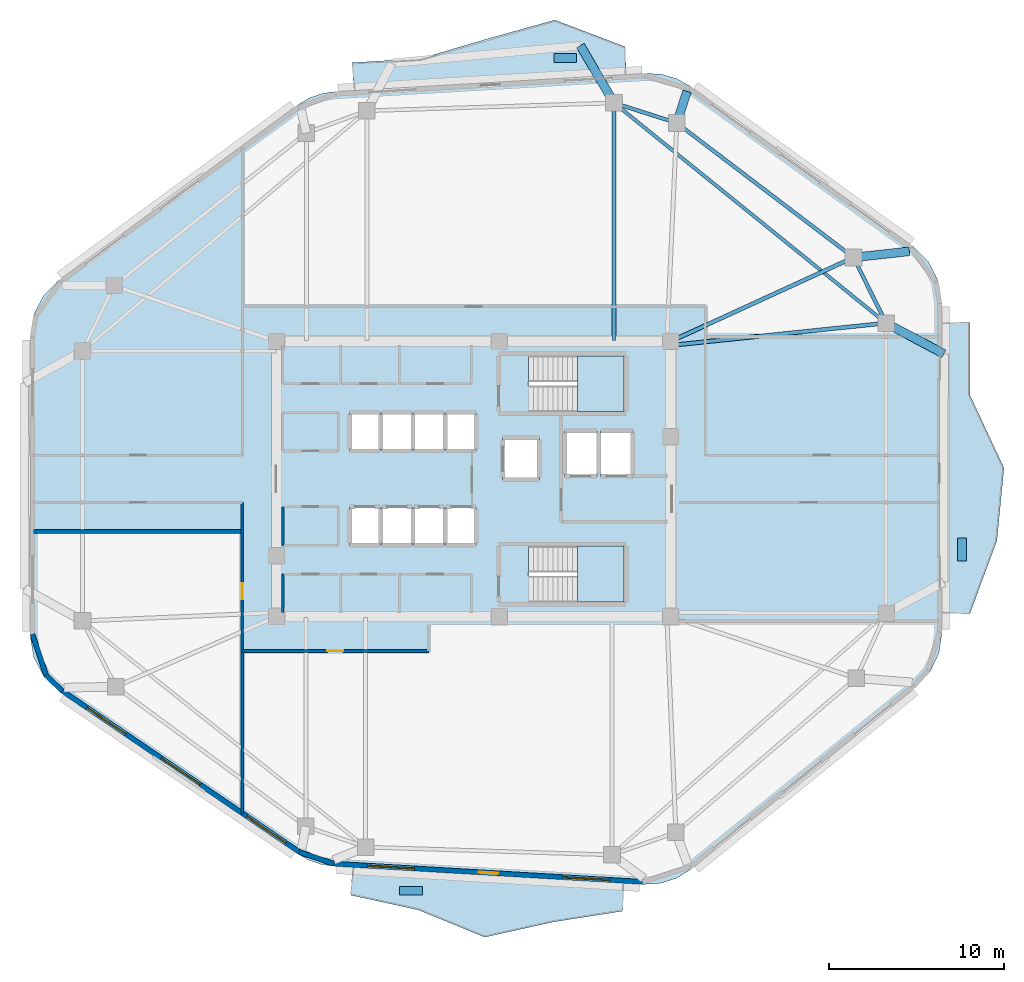
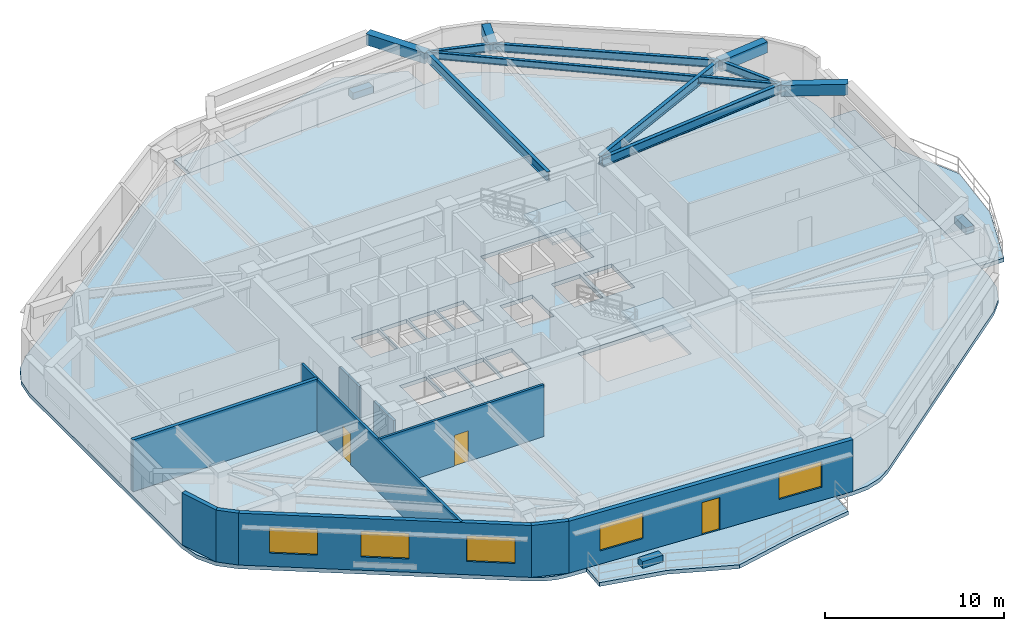
# One storey, part 2 of 8: 11 beams, 10 walls, 6 slabs, 5 windows, 3 doors, 3 plates, 8 openings, 2 elements without a shape of their own.
"""IFC4 building model written with IfcOpenShell, lengths in metres."""

from ifc_helpers import new_model, si_unit, direction, frame, frame_2d, origin, origin_2d, place, context, subcontext, project, spatial, polyline, rectangle, i_section, outline, extrude, material, layer, layer_set, material_profile, profile_set, type_object, element, fill, aggregate, save


model = new_model("IFC4")

# Units and contexts
model_context = context("Model", 3, precision=1e-05, world=origin(), true_north=direction((0.0, 1.0)))
body_context = subcontext(model_context, "Body", "Model", "MODEL_VIEW")
ifc_project = project(units=[si_unit("LENGTHUNIT", "METRE"), si_unit("AREAUNIT", "SQUARE_METRE"), si_unit("VOLUMEUNIT", "CUBIC_METRE"), si_unit("PLANEANGLEUNIT", "RADIAN"), si_unit("MASSUNIT", "GRAM", prefix="KILO")], contexts=[model_context])

# Site, building, storey
site_placement = place(None, origin())
site = spatial("IfcSite", under=ifc_project, at=site_placement, CompositionType="ELEMENT")
building_placement = place(site_placement, origin())
building = spatial("IfcBuilding", under=site, at=building_placement, Name="Zulverin Broadcast Headquarters", CompositionType="ELEMENT")
storey_placement = place(building_placement, frame((0.0, 0.0, 204.800048828125)))
storey = spatial("IfcBuildingStorey", under=building, at=storey_placement, Name="L52", CompositionType="ELEMENT", Elevation=204.800048828125)

# Beams
ifc_material_1 = material(Name="Concrete C40/50", Category="concrete")
ifc_material_profile_1 = material_profile(ifc_material_1, rectangle(XDim=0.5, YDim=0.75, at=origin_2d()), Name="Concrete C40/50", Category="concrete")
ifc_profile_set_1 = profile_set([ifc_material_profile_1], Name="Concrete C40/50")
beam_type_1 = type_object("IfcBeamType", Name="BM-RC-500x750", PredefinedType="BEAM", material=ifc_profile_set_1)
beam_1_placement = place(storey_placement, frame((58.738037109375, 37.877685546875, 3.1650390625), z_axis=(0.994004521098, 0.109338977669, 0.0), x_axis=(-0.109338977669, 0.994004521098, 0.0)))
element("IfcBeam", 1, at=beam_1_placement, inside=storey, type_object=beam_type_1, Name="L53 Plate Overhang Back-Spanned Beam OVR-07", PredefinedType="BEAM", context=body_context, shape_type="SweptSolid", body=[
    extrude(rectangle(XDim=0.5, YDim=0.75, at=origin_2d()), origin(), (0.0, 0.0, 1.0), 3.213134765625),
])
beam_2_placement = place(storey_placement, frame((48.62158203125, 45.574951171875, 3.1650390625), z_axis=(0.306395409062, 0.951904329912, 0.0), x_axis=(-0.951904329912, 0.306395409062, 0.0)))
element("IfcBeam", 2, at=beam_2_placement, inside=storey, type_object=beam_type_1, Name="L53 Plate Overhang Back-Spanned Beam OVR-08", PredefinedType="BEAM", context=body_context, shape_type="SweptSolid", body=[
    extrude(rectangle(XDim=0.5, YDim=0.75, at=origin_2d()), origin(), (0.0, 0.0, 1.0), 1.90283203125),
])
beam_3_placement = place(storey_placement, frame((60.60009765625, 34.12158203125, 3.1650390625), z_axis=(0.882538495397, -0.470240155817, 0.0), x_axis=(0.470240155817, 0.882538495397, 0.0)))
element("IfcBeam", 3, at=beam_3_placement, inside=storey, type_object=beam_type_1, Name="L53 Balcony Column-Framed Cantilever BAL_E-2", PredefinedType="BEAM", context=body_context, shape_type="SweptSolid", body=[
    extrude(rectangle(XDim=0.5, YDim=0.75, at=origin_2d()), origin(), (0.0, 0.0, 1.0), 3.75),
])
beam_4_placement = place(storey_placement, frame((45.027587890625, 46.7236328125, 3.1650390625), z_axis=(-0.506062406052, 0.862496864447, 0.0), x_axis=(-0.862496864447, -0.506062406052, 0.0)))
element("IfcBeam", 4, at=beam_4_placement, inside=storey, type_object=beam_type_1, Name="L53 Balcony Column-Framed Cantilever BAL_N-1", PredefinedType="BEAM", context=body_context, shape_type="SweptSolid", body=[
    extrude(rectangle(XDim=0.5, YDim=0.75, at=origin_2d()), origin(), (0.0, 0.0, 1.0), 3.800048828125),
])
ifc_material_2 = material(Name="Structural steel S355JR", Category="steel")
ifc_material_profile_2 = material_profile(ifc_material_2, i_section(OverallWidth=0.19287109375, OverallDepth=0.46728515625, WebThickness=0.011474609375, FlangeThickness=0.01953125, at=origin_2d()), Name="Structural steel S355JR", Category="steel")
ifc_profile_set_2 = profile_set([ifc_material_profile_2], Name="Structural steel S355JR")
beam_type_2 = type_object("IfcBeamType", Name="BM-UB-457", PredefinedType="JOIST", material=ifc_profile_set_2)
beam_5_placement = place(storey_placement, frame((60.60009765625, 34.12158203125, 3.306396484375), z_axis=(-0.777349017335, 0.629069555175, 0.0), x_axis=(-0.629069555175, -0.777349017335, 0.0)))
element("IfcBeam", 5, at=beam_5_placement, inside=storey, type_object=beam_type_2, Name="L52 Chordal Floor Joist J-02", PredefinedType="JOIST", context=body_context, shape_type="SweptSolid", body=[
    extrude(i_section(OverallWidth=0.19287109375, OverallDepth=0.46728515625, WebThickness=0.011474609375, FlangeThickness=0.01953125, at=origin_2d()), origin(), (0.0, 0.0, 1.0), 20.032958984375),
])
ifc_material_profile_3 = material_profile(ifc_material_2, i_section(OverallWidth=0.2119140625, OverallDepth=0.54443359375, WebThickness=0.0126953125, FlangeThickness=0.021240234375, at=origin_2d()), Name="Structural steel S355JR", Category="steel")
ifc_profile_set_3 = profile_set([ifc_material_profile_3], Name="Structural steel S355JR")
beam_type_3 = type_object("IfcBeamType", Name="BM-UB-533", PredefinedType="SPANDREL", material=ifc_profile_set_3)
beam_6_placement = place(storey_placement, frame((60.60009765625, 34.12158203125, 3.267578125), z_axis=(-0.444159471033, 0.895947746407, 0.0), x_axis=(-0.895947746407, -0.444159471033, 0.0)))
element("IfcBeam", 6, at=beam_6_placement, inside=storey, type_object=beam_type_3, Name="L52 Perimeter Spandrel Beam SP-06", PredefinedType="SPANDREL", context=body_context, shape_type="SweptSolid", body=[
    extrude(i_section(OverallWidth=0.2119140625, OverallDepth=0.54443359375, WebThickness=0.0126953125, FlangeThickness=0.021240234375, at=origin_2d()), origin(), (0.0, 0.0, 1.0), 4.1923828125),
])
beam_7_placement = place(storey_placement, frame((58.738037109375, 37.877685546875, 3.267578125), z_axis=(-0.795830102505, 0.60551998146, 0.0), x_axis=(-0.60551998146, -0.795830102505, 0.0)))
element("IfcBeam", 7, at=beam_7_placement, inside=storey, type_object=beam_type_3, Name="L52 Perimeter Spandrel Beam SP-07", PredefinedType="SPANDREL", context=body_context, shape_type="SweptSolid", body=[
    extrude(i_section(OverallWidth=0.2119140625, OverallDepth=0.54443359375, WebThickness=0.0126953125, FlangeThickness=0.021240234375, at=origin_2d()), origin(), (0.0, 0.0, 1.0), 12.7119140625),
])
beam_8_placement = place(storey_placement, frame((48.62158203125, 45.574951171875, 3.267578125), z_axis=(-0.952531523781, 0.304439971428, 0.0), x_axis=(-0.304439971428, -0.952531523781, 0.0)))
element("IfcBeam", 8, at=beam_8_placement, inside=storey, type_object=beam_type_3, Name="L52 Perimeter Spandrel Beam SP-08", PredefinedType="SPANDREL", context=body_context, shape_type="SweptSolid", body=[
    extrude(i_section(OverallWidth=0.2119140625, OverallDepth=0.54443359375, WebThickness=0.0126953125, FlangeThickness=0.021240234375, at=origin_2d()), origin(), (0.0, 0.0, 1.0), 3.773193359375),
])
ifc_material_profile_4 = material_profile(ifc_material_2, i_section(OverallWidth=0.230224609375, OverallDepth=0.6171875, WebThickness=0.01318359375, FlangeThickness=0.022216796875, at=origin_2d()), Name="Structural steel S355JR", Category="steel")
ifc_profile_set_4 = profile_set([ifc_material_profile_4], Name="Structural steel S355JR")
beam_type_4 = type_object("IfcBeamType", Name="BM-UB-610", PredefinedType="BEAM", material=ifc_profile_set_4)
beam_9_placement = place(storey_placement, frame((48.324951171875, 32.85009765625, 3.2314453125), z_axis=(0.994678169641, 0.103030766473, 0.0), x_axis=(-0.103030766473, 0.994678169641, 0.0)))
element("IfcBeam", 9, at=beam_9_placement, inside=storey, type_object=beam_type_4, Name="L52 Radial Primary Floor Beam RB-06", PredefinedType="BEAM", context=body_context, shape_type="SweptSolid", body=[
    extrude(i_section(OverallWidth=0.230224609375, OverallDepth=0.6171875, WebThickness=0.01318359375, FlangeThickness=0.022216796875, at=origin_2d()), origin(), (0.0, 0.0, 1.0), 12.3408203125),
])
beam_10_placement = place(storey_placement, frame((48.27490234375, 33.074951171875, 3.2314453125), z_axis=(0.90883007293, 0.417166511764, 0.0), x_axis=(-0.417166511764, 0.90883007293, 0.0)))
element("IfcBeam", 10, at=beam_10_placement, inside=storey, type_object=beam_type_4, Name="L52 Radial Primary Floor Beam RB-07", PredefinedType="BEAM", context=body_context, shape_type="SweptSolid", body=[
    extrude(i_section(OverallWidth=0.230224609375, OverallDepth=0.6171875, WebThickness=0.01318359375, FlangeThickness=0.022216796875, at=origin_2d()), origin(), (0.0, 0.0, 1.0), 11.5126953125),
])
beam_11_placement = place(storey_placement, frame((45.027587890625, 33.125, 3.2314453125), z_axis=(0.0, 1.0, 0.0), x_axis=(-1.0, 0.0, 0.0)))
element("IfcBeam", 11, at=beam_11_placement, inside=storey, type_object=beam_type_4, Name="L52 Radial Primary Floor Beam RB-09", PredefinedType="BEAM", context=body_context, shape_type="SweptSolid", body=[
    extrude(i_section(OverallWidth=0.230224609375, OverallDepth=0.6171875, WebThickness=0.01318359375, FlangeThickness=0.022216796875, at=origin_2d()), origin(), (0.0, 0.0, 1.0), 13.5986328125),
])

# Plates
ifc_material_3 = material(Name="Precast concrete C45/55", Category="concrete")
ifc_layer_1 = layer(ifc_material_3, 0.449951171875, Name="Precast concrete C45/55", Category="concrete")
ifc_layer_set_1 = layer_set([ifc_layer_1], Name="Precast concrete C45/55")
plate_type = type_object("IfcPlateType", Name="PT-01_PRECAST_GFRC_TREE_PLANTER", PredefinedType="USERDEFINED", material=ifc_layer_set_1)
for number, where, z_axis, x_axis, name in (
    (12, (64.949951171875, 21.1591796875, -0.0048828125), (0.0, 0.0, 1.0), (0.0, 1.0, 0.0), "L52 Precast GFRC Tree Planter BAL_E"),
    (13, (33.41015625, 1.621337890625, -0.0048828125), (0.0, 0.0, 1.0), (1.0, 0.0, 0.0), "L52 Precast GFRC Tree Planter BAL_S"),
    (14, (42.239013671875, 49.298095703125, -0.0048828125), (0.0, 0.0, 1.0), (1.0, 0.0, 0.0), "L52 Precast GFRC Tree Planter BAL_N"),
):
    element("IfcPlate", number, at=place(storey_placement, frame(where, z_axis=z_axis, x_axis=x_axis)), inside=storey, type_object=plate_type, Name=name, ObjectType="PLANTER", PredefinedType="USERDEFINED", context=body_context, shape_type="SweptSolid", body=[
        extrude(rectangle(XDim=1.300048828125, YDim=0.5, at=origin_2d()), origin(), (0.0, 0.0, 1.0), 0.449951171875),
    ])

# Slabs
ifc_layer_2 = layer(ifc_material_1, 0.260009765625, Name="Concrete C40/50", Category="concrete")
ifc_layer_set_2 = layer_set([ifc_layer_2], Name="Concrete C40/50")
slab_type_1 = type_object("IfcSlabType", Name="SLB-BAL-260", PredefinedType="FLOOR", material=ifc_layer_set_2)
slab_1_placement = place(storey_placement, frame((0.0, 0.0, -0.260009765625)))
element("IfcSlab", 15, at=slab_1_placement, inside=storey, type_object=slab_type_1, Name="L52 Cantilevered Planted Balcony Slab BAL_E", PredefinedType="FLOOR", context=body_context, shape_type="SweptSolid", body=[
    extrude(outline(polyline([(63.800048828125, 34.166259765625), (63.800048828125, 17.490478515625), (65.39990234375, 17.490478515625), (66.942626953125, 21.6591796875), (67.35009765625, 25.828369140625), (65.39990234375, 29.997314453125), (65.39990234375, 34.166259765625), (63.800048828125, 34.166259765625)])), origin(), (0.0, 0.0, 1.0), 0.260009765625),
])
slab_2_placement = place(storey_placement, frame((0.0, 0.0, -0.260009765625)))
element("IfcSlab", 16, at=slab_2_placement, inside=storey, type_object=slab_type_1, Name="L52 Cantilevered Planted Balcony Slab BAL_S", PredefinedType="FLOOR", context=body_context, shape_type="SweptSolid", body=[
    extrude(outline(polyline([(45.61083984375, 2.0556640625), (30.055419921875, 2.970703125), (29.96142578125, 1.373291015625), (33.814453125, 0.531982421875), (37.624755859375, -1.03076171875), (41.57861328125, -0.154052734375), (45.51708984375, 0.45849609375), (45.61083984375, 2.0556640625)])), origin(), (0.0, 0.0, 1.0), 0.260009765625),
])
slab_3_placement = place(storey_placement, frame((0.0, 0.0, -0.260009765625)))
element("IfcSlab", 17, at=slab_3_placement, inside=storey, type_object=slab_type_1, Name="L52 Cantilevered Planted Balcony Slab BAL_N", PredefinedType="FLOOR", context=body_context, shape_type="SweptSolid", body=[
    extrude(outline(polyline([(30.1337890625, 47.43408203125), (45.739990234375, 48.35205078125), (45.64599609375, 49.94921875), (41.641357421875, 51.470703125), (37.78955078125, 50.397705078125), (33.94140625, 49.2607421875), (30.039794921875, 49.03125), (30.1337890625, 47.43408203125)])), origin(), (0.0, 0.0, 1.0), 0.260009765625),
])

# Stair, slab
stair_type = type_object("IfcStairType", Name="ST-CORE-1500", PredefinedType="HALF_TURN_STAIR", material=ifc_material_1)
stair_1_placement = place(storey_placement, origin())
stair_1 = element("IfcStair", 18, at=stair_1_placement, inside=storey, type_object=stair_type, Name="L52 Core Exit Stair ST-1", PredefinedType="HALF_TURN_STAIR")
ifc_layer_3 = layer(ifc_material_1, 0.199951171875, Name="Concrete C40/50", Category="concrete")
ifc_layer_set_3 = layer_set([ifc_layer_3], Name="Concrete C40/50")
slab_type_2 = type_object("IfcSlabType", Name="SLB-ST-LND200", PredefinedType="LANDING", material=ifc_layer_set_3)
slab_4_placement = place(storey_placement, frame((0.0, 0.0, 1.699951171875)))
slab_4 = element("IfcSlab", 19, at=slab_4_placement, type_object=slab_type_2, Name="ST-1 landing 1", PredefinedType="LANDING", context=body_context, shape_type="SweptSolid", body=[
    extrude(outline(polyline([(42.929931640625, 29.050048828125), (45.60009765625, 29.050048828125), (45.60009765625, 32.25), (42.929931640625, 32.25), (42.929931640625, 29.050048828125)])), origin(), (0.0, 0.0, 1.0), 0.199951171875),
])
aggregate(stair_1, [slab_4])

stair_2_placement = place(storey_placement, origin())
stair_2 = element("IfcStair", 20, at=stair_2_placement, inside=storey, type_object=stair_type, Name="L52 Core Exit Stair ST-2", PredefinedType="HALF_TURN_STAIR")
slab_5_placement = place(storey_placement, frame((0.0, 0.0, 1.699951171875)))
slab_5 = element("IfcSlab", 21, at=slab_5_placement, type_object=slab_type_2, Name="ST-2 landing 1", PredefinedType="LANDING", context=body_context, shape_type="SweptSolid", body=[
    extrude(outline(polyline([(42.929931640625, 18.14990234375), (45.60009765625, 18.14990234375), (45.60009765625, 21.35009765625), (42.929931640625, 21.35009765625), (42.929931640625, 18.14990234375)])), origin(), (0.0, 0.0, 1.0), 0.199951171875),
])
aggregate(stair_2, [slab_5])

# Slab
ifc_layer_4 = layer(ifc_material_1, 0.260009765625, Name="Concrete C40/50", Category="concrete")
ifc_layer_set_4 = layer_set([ifc_layer_4], Name="Concrete C40/50")
slab_type_3 = type_object("IfcSlabType", Name="SLB-TWR-260", PredefinedType="FLOOR", material=ifc_layer_set_4)
slab_6_placement = place(storey_placement, frame((0.0, 0.0, -0.260009765625)))
element("IfcSlab", 22, at=slab_6_placement, inside=storey, type_object=slab_type_3, Name="L52 Main Structural Floor Slab", PredefinedType="FLOOR", context=body_context, shape_type="SweptSolid", body=[
    extrude(outline(polyline([(26.943603515625, 3.72021484375), (27.570068359375, 3.3720703125), (28.24853515625, 3.14111328125), (28.95751953125, 3.03515625), (46.708984375, 1.990966796875), (47.690185546875, 2.05419921875), (48.626220703125, 2.35498046875), (49.46044921875, 2.875), (62.316650390625, 13.28125), (63.11572265625, 14.1533203125), (63.625, 15.220703125), (63.800048828125, 16.390380859375), (63.800048828125, 35.26611328125), (63.602294921875, 36.50830078125), (63.02880859375, 37.627197265625), (62.13623046875, 38.51318359375), (49.408935546875, 47.67041015625), (48.61669921875, 48.113525390625), (47.74462890625, 48.36669921875), (46.837890625, 48.41650390625), (29.03564453125, 47.369384765625), (28.27978515625, 47.251708984375), (27.560302734375, 46.9921875), (26.9033203125, 46.6005859375), (13.23291015625, 36.564697265625), (12.356201171875, 35.680908203125), (11.793701171875, 34.570068359375), (11.60009765625, 33.34033203125), (11.60009765625, 16.267578125), (11.808837890625, 14.991943359375), (12.413818359375, 13.849365234375), (13.351318359375, 12.95947265625), (26.943603515625, 3.72021484375)]), holes=[polyline([(40.155029296875, 30.75), (40.130126953125, 30.75), (40.130126953125, 32.25), (45.60009765625, 32.25), (45.60009765625, 29.050048828125), (40.155029296875, 29.050048828125), (40.155029296875, 30.75)]), polyline([(40.155029296875, 19.85009765625), (40.130126953125, 19.85009765625), (40.130126953125, 21.35009765625), (45.60009765625, 21.35009765625), (45.60009765625, 18.14990234375), (40.155029296875, 18.14990234375), (40.155029296875, 19.85009765625)]), polyline([(29.89990234375, 21.39990234375), (31.6201171875, 21.39990234375), (31.6201171875, 23.60009765625), (29.89990234375, 23.60009765625), (29.89990234375, 21.39990234375)]), polyline([(31.739990234375, 21.39990234375), (33.4599609375, 21.39990234375), (33.4599609375, 23.60009765625), (31.739990234375, 23.60009765625), (31.739990234375, 21.39990234375)]), polyline([(33.580078125, 21.39990234375), (35.300048828125, 21.39990234375), (35.300048828125, 23.60009765625), (33.580078125, 23.60009765625), (33.580078125, 21.39990234375)]), polyline([(35.419921875, 21.39990234375), (37.139892578125, 21.39990234375), (37.139892578125, 23.60009765625), (35.419921875, 23.60009765625), (35.419921875, 21.39990234375)]), polyline([(29.89990234375, 26.800048828125), (31.6201171875, 26.800048828125), (31.6201171875, 29.0), (29.89990234375, 29.0), (29.89990234375, 26.800048828125)]), polyline([(31.739990234375, 26.800048828125), (33.4599609375, 26.800048828125), (33.4599609375, 29.0), (31.739990234375, 29.0), (31.739990234375, 26.800048828125)]), polyline([(33.580078125, 26.800048828125), (35.300048828125, 26.800048828125), (35.300048828125, 29.0), (33.580078125, 29.0), (33.580078125, 26.800048828125)]), polyline([(35.419921875, 26.800048828125), (37.139892578125, 26.800048828125), (37.139892578125, 29.0), (35.419921875, 29.0), (35.419921875, 26.800048828125)]), polyline([(42.199951171875, 25.35009765625), (44.050048828125, 25.35009765625), (44.050048828125, 27.949951171875), (42.199951171875, 27.949951171875), (42.199951171875, 25.35009765625)]), polyline([(44.25, 25.35009765625), (46.10009765625, 25.35009765625), (46.10009765625, 27.949951171875), (44.25, 27.949951171875), (44.25, 25.35009765625)]), polyline([(38.64990234375, 25.14990234375), (40.75, 25.14990234375), (40.75, 27.550048828125), (38.64990234375, 27.550048828125), (38.64990234375, 25.14990234375)])]), origin(), (0.0, 0.0, 1.0), 0.260009765625),
])

# Wall
ifc_material_4 = material(Name="Double-stud acoustic drywall", Category="gypsum")
ifc_layer_5 = layer(ifc_material_4, 0.219970703125, Name="Double-stud acoustic drywall", Category="gypsum")
ifc_layer_set_5 = layer_set([ifc_layer_5], Name="Double-stud acoustic drywall")
wall_type_1 = type_object("IfcWallType", Name="WL-ACOU-220", PredefinedType="PARTITIONING", material=ifc_layer_set_5)
wall_1_placement = place(storey_placement, frame((11.804931640625, 22.199951171875, 0.0), z_axis=(0.0, 0.0, 1.0), x_axis=(1.0, 0.0, 0.0)))
element("IfcWall", 23, at=wall_1_placement, inside=storey, type_object=wall_type_1, Name="L52 Room Partition Wall RP-07", PredefinedType="PARTITIONING", context=body_context, shape_type="SweptSolid", body=[
    extrude(rectangle(XDim=11.945068359375, YDim=0.219970703125, at=frame_2d((5.97265625, 0.0))), origin(), (0.0, 0.0, 1.0), 3.5400390625),
])

# Wall, openings, door, windows
ifc_material_5 = material(Name="Insulated pale-metal clad concrete spandrel C40/50", Category="concrete")
ifc_layer_6 = layer(ifc_material_5, 0.280029296875, Name="Insulated pale-metal clad concrete spandrel C40/50", Category="concrete")
ifc_layer_set_6 = layer_set([ifc_layer_6], Name="Insulated pale-metal clad concrete spandrel C40/50")
wall_type_2 = type_object("IfcWallType", Name="WL-EXT-280", PredefinedType="STANDARD", material=ifc_layer_set_6)
wall_2_placement = place(storey_placement, frame((28.965576171875, 3.175048828125, 0.0), z_axis=(0.0, 0.0, 1.0), x_axis=(0.998274467859, -0.058720412304, 0.0)))
wall_2 = element("IfcWall", 24, at=wall_2_placement, inside=storey, type_object=wall_type_2, Name="L52 Pale-Metal Clad Spandrel Wall 1", PredefinedType="STANDARD", context=body_context, shape_type="SweptSolid", body=[
    extrude(rectangle(XDim=17.782470703125, YDim=0.280029296875, at=frame_2d((8.89111328125, 0.0))), origin(), (0.0, 0.0, 1.0), 3.5400390625),
])
opening_1_placement = place(wall_2_placement, frame((8.341064453125, 0.0, 0.0)))
opening_1 = element("IfcOpeningElement", 25, at=opening_1_placement, cuts=wall_2, Name="Opening D-L52-TR1", PredefinedType="OPENING", context=body_context, shape_type="SweptSolid", body=[
    extrude(rectangle(XDim=1.10009765625, YDim=2.199951171875, at=frame_2d((0.550048828125, 1.10009765625))), frame((0.0, 0.14990234375, 0.0), z_axis=(0.0, -1.0, 0.0), x_axis=(1.0, 0.0, 0.0)), (0.0, 0.0, 1.0), 0.300048828125),
])
opening_2_placement = place(wall_2_placement, frame((1.947021484375, 0.0, 0.89990234375)))
opening_2 = element("IfcOpeningElement", 26, at=opening_2_placement, cuts=wall_2, Name="Opening W-L52-E11", PredefinedType="OPENING", context=body_context, shape_type="SweptSolid", body=[
    extrude(rectangle(XDim=2.699951171875, YDim=1.75, at=frame_2d((1.35009765625, 0.875))), frame((0.0, 0.14990234375, 0.0), z_axis=(0.0, -1.0, 0.0), x_axis=(1.0, 0.0, 0.0)), (0.0, 0.0, 1.0), 0.300048828125),
])
opening_3_placement = place(wall_2_placement, frame((13.13525390625, 0.0, 0.89990234375)))
opening_3 = element("IfcOpeningElement", 27, at=opening_3_placement, cuts=wall_2, Name="Opening W-L52-E12", PredefinedType="OPENING", context=body_context, shape_type="SweptSolid", body=[
    extrude(rectangle(XDim=2.699951171875, YDim=1.75, at=frame_2d((1.35009765625, 0.875))), frame((0.0, 0.14990234375, 0.0), z_axis=(0.0, -1.0, 0.0), x_axis=(1.0, 0.0, 0.0)), (0.0, 0.0, 1.0), 0.300048828125),
])
ifc_material_6 = material(Name="Thermally broken aluminium glazed", Category="aluminium")
door_type_1 = type_object("IfcDoorType", Name="DR-TERR-1100", OperationType="SINGLE_SWING_RIGHT", PredefinedType="DOOR", material=ifc_material_6)
door_1_placement = place(opening_1_placement, origin())
door_1 = element("IfcDoor", 28, at=door_1_placement, inside=storey, type_object=door_type_1, Name="L52 Planted Terrace Glazed Access Door 1", OperationType="SINGLE_SWING_RIGHT", OverallHeight=2.199951171875, OverallWidth=1.10009765625, PredefinedType="DOOR", context=body_context, shape_type="SweptSolid", body=[
    extrude(rectangle(XDim=1.10009765625, YDim=2.199951171875, at=frame_2d((0.550048828125, 1.10009765625))), frame((0.0, 0.02490234375, 0.0), z_axis=(0.0, -1.0, 0.0), x_axis=(1.0, 0.0, 0.0)), (0.0, 0.0, 1.0), 0.050048828125),
])
fill(opening_1, door_1)
ifc_material_7 = material(Name="Pale anodized aluminium frame with solar-control low-E double glazing", Category="aluminium")
window_type = type_object("IfcWindowType", Name="WIN-TWR-2700", PartitioningType="SINGLE_PANEL", PredefinedType="WINDOW", material=ifc_material_7)
window_1_placement = place(opening_2_placement, origin())
window_1 = element("IfcWindow", 29, at=window_1_placement, inside=storey, type_object=window_type, Name="L52 Ribbon Glazing Window 1 1", OverallHeight=1.75, OverallWidth=2.699951171875, PartitioningType="SINGLE_PANEL", PredefinedType="WINDOW", context=body_context, shape_type="SweptSolid", body=[
    extrude(rectangle(XDim=2.699951171875, YDim=1.75, at=frame_2d((1.35009765625, 0.875))), frame((0.0, 0.030029296875, 0.0), z_axis=(0.0, -1.0, 0.0), x_axis=(1.0, 0.0, 0.0)), (0.0, 0.0, 1.0), 0.06005859375),
])
fill(opening_2, window_1)
window_2_placement = place(opening_3_placement, origin())
window_2 = element("IfcWindow", 30, at=window_2_placement, inside=storey, type_object=window_type, Name="L52 Ribbon Glazing Window 1 2", OverallHeight=1.75, OverallWidth=2.699951171875, PartitioningType="SINGLE_PANEL", PredefinedType="WINDOW", context=body_context, shape_type="SweptSolid", body=[
    extrude(rectangle(XDim=2.699951171875, YDim=1.75, at=frame_2d((1.35009765625, 0.875))), frame((0.0, 0.030029296875, 0.0), z_axis=(0.0, -1.0, 0.0), x_axis=(1.0, 0.0, 0.0)), (0.0, 0.0, 1.0), 0.06005859375),
])
fill(opening_3, window_2)

# Wall, openings, windows
wall_3_placement = place(storey_placement, frame((13.429931640625, 13.0751953125, 0.0), z_axis=(0.0, 0.0, 1.0), x_axis=(0.827025402003, -0.562164552815, 0.0)))
wall_3 = element("IfcWall", 31, at=wall_3_placement, inside=storey, type_object=wall_type_2, Name="L52 Pale-Metal Clad Spandrel Wall 8", PredefinedType="STANDARD", context=body_context, shape_type="SweptSolid", body=[
    extrude(rectangle(XDim=16.43505859375, YDim=0.280029296875, at=frame_2d((8.217529296875, 0.0))), origin(), (0.0, 0.0, 1.0), 3.5400390625),
])
opening_4_placement = place(wall_3_placement, frame((1.722412109375, 0.0, 0.89990234375)))
opening_4 = element("IfcOpeningElement", 32, at=opening_4_placement, cuts=wall_3, Name="Opening W-L52-E81", PredefinedType="OPENING", context=body_context, shape_type="SweptSolid", body=[
    extrude(rectangle(XDim=2.699951171875, YDim=1.75, at=frame_2d((1.35009765625, 0.875))), frame((0.0, 0.14990234375, 0.0), z_axis=(0.0, -1.0, 0.0), x_axis=(1.0, 0.0, 0.0)), (0.0, 0.0, 1.0), 0.300048828125),
])
opening_5_placement = place(wall_3_placement, frame((6.86767578125, 0.0, 0.89990234375)))
opening_5 = element("IfcOpeningElement", 33, at=opening_5_placement, cuts=wall_3, Name="Opening W-L52-E82", PredefinedType="OPENING", context=body_context, shape_type="SweptSolid", body=[
    extrude(rectangle(XDim=2.699951171875, YDim=1.75, at=frame_2d((1.35009765625, 0.875))), frame((0.0, 0.14990234375, 0.0), z_axis=(0.0, -1.0, 0.0), x_axis=(1.0, 0.0, 0.0)), (0.0, 0.0, 1.0), 0.300048828125),
])
opening_6_placement = place(wall_3_placement, frame((12.792724609375, 0.0, 0.89990234375)))
opening_6 = element("IfcOpeningElement", 34, at=opening_6_placement, cuts=wall_3, Name="Opening W-L52-E83", PredefinedType="OPENING", context=body_context, shape_type="SweptSolid", body=[
    extrude(rectangle(XDim=2.699951171875, YDim=1.75, at=frame_2d((1.35009765625, 0.875))), frame((0.0, 0.14990234375, 0.0), z_axis=(0.0, -1.0, 0.0), x_axis=(1.0, 0.0, 0.0)), (0.0, 0.0, 1.0), 0.300048828125),
])
window_3_placement = place(opening_4_placement, origin())
window_3 = element("IfcWindow", 35, at=window_3_placement, inside=storey, type_object=window_type, Name="L52 Ribbon Glazing Window 8 1", OverallHeight=1.75, OverallWidth=2.699951171875, PartitioningType="SINGLE_PANEL", PredefinedType="WINDOW", context=body_context, shape_type="SweptSolid", body=[
    extrude(rectangle(XDim=2.699951171875, YDim=1.75, at=frame_2d((1.35009765625, 0.875))), frame((0.0, 0.030029296875, 0.0), z_axis=(0.0, -1.0, 0.0), x_axis=(1.0, 0.0, 0.0)), (0.0, 0.0, 1.0), 0.06005859375),
])
fill(opening_4, window_3)
window_4_placement = place(opening_5_placement, origin())
window_4 = element("IfcWindow", 36, at=window_4_placement, inside=storey, type_object=window_type, Name="L52 Ribbon Glazing Window 8 2", OverallHeight=1.75, OverallWidth=2.699951171875, PartitioningType="SINGLE_PANEL", PredefinedType="WINDOW", context=body_context, shape_type="SweptSolid", body=[
    extrude(rectangle(XDim=2.699951171875, YDim=1.75, at=frame_2d((1.35009765625, 0.875))), frame((0.0, 0.030029296875, 0.0), z_axis=(0.0, -1.0, 0.0), x_axis=(1.0, 0.0, 0.0)), (0.0, 0.0, 1.0), 0.06005859375),
])
fill(opening_5, window_4)
window_5_placement = place(opening_6_placement, origin())
window_5 = element("IfcWindow", 37, at=window_5_placement, inside=storey, type_object=window_type, Name="L52 Ribbon Glazing Window 8 3", OverallHeight=1.75, OverallWidth=2.699951171875, PartitioningType="SINGLE_PANEL", PredefinedType="WINDOW", context=body_context, shape_type="SweptSolid", body=[
    extrude(rectangle(XDim=2.699951171875, YDim=1.75, at=frame_2d((1.35009765625, 0.875))), frame((0.0, 0.030029296875, 0.0), z_axis=(0.0, -1.0, 0.0), x_axis=(1.0, 0.0, 0.0)), (0.0, 0.0, 1.0), 0.06005859375),
])
fill(opening_6, window_5)

# Walls
wall_4_placement = place(storey_placement, frame((11.732666015625, 16.312255859375, 0.0), z_axis=(0.0, 0.0, 1.0), x_axis=(0.318924860995, -0.947780002447, 0.0)))
element("IfcWall", 38, at=wall_4_placement, inside=storey, type_object=wall_type_2, Name="L52 Wind-Shaped Corner Spandrel Wall 7-1", PredefinedType="STANDARD", context=body_context, shape_type="SweptSolid", body=[
    extrude(rectangle(XDim=2.551513671875, YDim=0.280029296875, at=frame_2d((1.27587890625, 0.0))), origin(), (0.0, 0.0, 1.0), 3.5400390625),
])
wall_5_placement = place(storey_placement, frame((12.510009765625, 13.950927734375, 0.0), z_axis=(0.0, 0.0, 1.0), x_axis=(0.725371815671, -0.688357268451, 0.0)))
element("IfcWall", 39, at=wall_5_placement, inside=storey, type_object=wall_type_2, Name="L52 Wind-Shaped Corner Spandrel Wall 7-2", PredefinedType="STANDARD", context=body_context, shape_type="SweptSolid", body=[
    extrude(rectangle(XDim=1.292724609375, YDim=0.280029296875, at=frame_2d((0.646484375, 0.0))), origin(), (0.0, 0.0, 1.0), 3.5400390625),
])
wall_6_placement = place(storey_placement, frame((26.98876953125, 3.852783203125, 0.0), z_axis=(0.0, 0.0, 1.0), x_axis=(0.946713959835, -0.322075578479, 0.0)))
element("IfcWall", 40, at=wall_6_placement, inside=storey, type_object=wall_type_2, Name="L52 Wind-Shaped Corner Spandrel Wall 8-1", PredefinedType="STANDARD", context=body_context, shape_type="SweptSolid", body=[
    extrude(rectangle(XDim=2.126953125, YDim=0.280029296875, at=frame_2d((1.0634765625, 0.0))), origin(), (0.0, 0.0, 1.0), 3.5400390625),
])
ifc_material_8 = material(Name="Fire-rated gypsum stud partition", Category="gypsum")
ifc_layer_7 = layer(ifc_material_8, 0.14990234375, Name="Fire-rated gypsum stud partition", Category="gypsum")
ifc_layer_set_7 = layer_set([ifc_layer_7], Name="Fire-rated gypsum stud partition")
wall_type_3 = type_object("IfcWallType", Name="WL-PART-150", PredefinedType="PARTITIONING", material=ifc_layer_set_7)
wall_7_placement = place(storey_placement, frame((26.070068359375, 17.550048828125, 0.0), z_axis=(0.0, 0.0, 1.0), x_axis=(0.0, 1.0, 0.0)))
element("IfcWall", 41, at=wall_7_placement, inside=storey, type_object=wall_type_3, Name="L52 Core Female WC West Wall", PredefinedType="PARTITIONING", context=body_context, shape_type="SweptSolid", body=[
    extrude(rectangle(XDim=2.199951171875, YDim=0.14990234375, at=frame_2d((1.10009765625, 0.0))), origin(), (0.0, 0.0, 1.0), 2.639892578125),
])
wall_8_placement = place(storey_placement, frame((26.070068359375, 21.39990234375, 0.0), z_axis=(0.0, 0.0, 1.0), x_axis=(0.0, 1.0, 0.0)))
element("IfcWall", 42, at=wall_8_placement, inside=storey, type_object=wall_type_3, Name="L52 Housekeeping Equipment Store W Wall", PredefinedType="PARTITIONING", context=body_context, shape_type="SweptSolid", body=[
    extrude(rectangle(XDim=2.2001953125, YDim=0.14990234375, at=frame_2d((1.10009765625, 0.0))), origin(), (0.0, 0.0, 1.0), 2.639892578125),
])

# Wall, opening, door
wall_9_placement = place(storey_placement, frame((23.75, 6.031005859375, 0.0), z_axis=(0.0, 0.0, 1.0), x_axis=(0.0, 1.0, 0.0)))
wall_9 = element("IfcWall", 43, at=wall_9_placement, inside=storey, type_object=wall_type_3, Name="L52 Gallery Partition Wall CG-03", PredefinedType="PARTITIONING", context=body_context, shape_type="SweptSolid", body=[
    extrude(rectangle(XDim=17.819091796875, YDim=0.14990234375, at=frame_2d((8.90966796875, 0.0))), origin(), (0.0, 0.0, 1.0), 3.5400390625),
])
opening_7_placement = place(wall_9_placement, frame((12.2939453125, 0.0, 0.0)))
opening_7 = element("IfcOpeningElement", 44, at=opening_7_placement, cuts=wall_9, Name="Opening D-L52-03", PredefinedType="OPENING", context=body_context, shape_type="SweptSolid", body=[
    extrude(rectangle(XDim=0.89990234375, YDim=2.10009765625, at=frame_2d((0.449951171875, 1.050048828125))), frame((0.0, 0.0849609375, 0.0), z_axis=(0.0, -1.0, 0.0), x_axis=(1.0, 0.0, 0.0)), (0.0, 0.0, 1.0), 0.169921875),
])
ifc_material_9 = material(Name="Fire-rated hardwood veneer timber leaf", Category="wood")
door_type_2 = type_object("IfcDoorType", Name="DR-ROOM-900", OperationType="SINGLE_SWING_RIGHT", PredefinedType="DOOR", material=ifc_material_9)
door_2_placement = place(opening_7_placement, origin())
door_2 = element("IfcDoor", 45, at=door_2_placement, inside=storey, type_object=door_type_2, Name="L52 Broadcast Wellness Fitness Gym Door", OperationType="SINGLE_SWING_RIGHT", OverallHeight=2.10009765625, OverallWidth=0.89990234375, PredefinedType="DOOR", context=body_context, shape_type="SweptSolid", body=[
    extrude(rectangle(XDim=0.89990234375, YDim=2.10009765625, at=frame_2d((0.449951171875, 1.050048828125))), frame((0.0, 0.02490234375, 0.0), z_axis=(0.0, -1.0, 0.0), x_axis=(1.0, 0.0, 0.0)), (0.0, 0.0, 1.0), 0.050048828125),
])
fill(opening_7, door_2)

wall_10_placement = place(storey_placement, frame((23.75, 15.35009765625, 0.0), z_axis=(0.0, 0.0, 1.0), x_axis=(1.0, 0.0, 0.0)))
wall_10 = element("IfcWall", 46, at=wall_10_placement, inside=storey, type_object=wall_type_3, Name="L52 Gallery Partition Wall CG-05", PredefinedType="PARTITIONING", context=body_context, shape_type="SweptSolid", body=[
    extrude(rectangle(XDim=10.64990234375, YDim=0.14990234375, at=frame_2d((5.324951171875, 0.0))), origin(), (0.0, 0.0, 1.0), 3.5400390625),
])
opening_8_placement = place(wall_10_placement, frame((4.875, 0.0, 0.0)))
opening_8 = element("IfcOpeningElement", 47, at=opening_8_placement, cuts=wall_10, Name="Opening D-L52-02", PredefinedType="OPENING", context=body_context, shape_type="SweptSolid", body=[
    extrude(rectangle(XDim=0.89990234375, YDim=2.10009765625, at=frame_2d((0.449951171875, 1.050048828125))), frame((0.0, 0.0849609375, 0.0), z_axis=(0.0, -1.0, 0.0), x_axis=(1.0, 0.0, 0.0)), (0.0, 0.0, 1.0), 0.169921875),
])
door_3_placement = place(opening_8_placement, origin())
door_3 = element("IfcDoor", 48, at=door_3_placement, inside=storey, type_object=door_type_2, Name="L52 Panorama Staff Lounge & Bar Door", OperationType="SINGLE_SWING_LEFT", OverallHeight=2.10009765625, OverallWidth=0.89990234375, PredefinedType="DOOR", context=body_context, shape_type="SweptSolid", body=[
    extrude(rectangle(XDim=0.89990234375, YDim=2.10009765625, at=frame_2d((0.449951171875, 1.050048828125))), frame((0.0, 0.02490234375, 0.0), z_axis=(0.0, -1.0, 0.0), x_axis=(1.0, 0.0, 0.0)), (0.0, 0.0, 1.0), 0.050048828125),
])
fill(opening_8, door_3)

save(model, "model.ifc")
